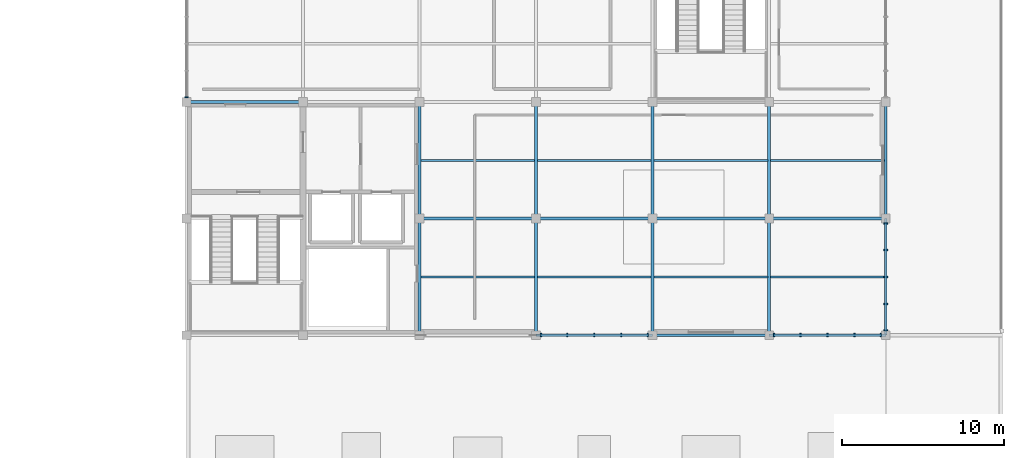
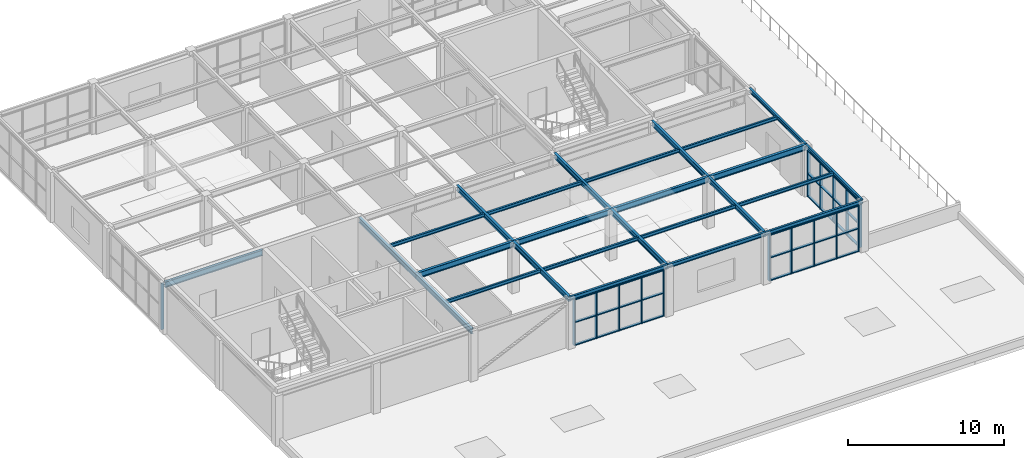
# One storey, part 35 of 64: 26 beams, 25 members, 4 elements without a shape of their own.
"""IFC4 building model written with IfcOpenShell, lengths in metres."""

import ifcopenshell
import ifcopenshell.guid

model = None  # the IFC model being written
_history = None  # IfcOwnerHistory: only IFC2X3 demands one
_inside = {}  # id of a spatial element -> (the spatial element, [elements in it])
_under = {}  # id of a project, library or spatial element -> (it, [spatial elements below it])
_declared = {}  # id of a project -> (the project, [libraries it declares])
_typed = {}  # id of a type object -> (the type object, [elements of that type])
_made_of = {}  # id of a material, layer set ... -> (it, [elements and type objects made of it])


def new_model(schema):
    """Start an empty IFC model of exactly this schema.

    Asked for "IFC4X3", IfcOpenShell would pick the latest addendum, in which some entities
    have other attributes; the version numbers below select the first issue.
    IFC2X3 requires an IfcOwnerHistory on every rooted entity: one is made here for all.
    """
    global model, _history
    if schema == "IFC4X3":
        model = ifcopenshell.file(schema_version=(4, 3, 0, 0))
    else:
        model = ifcopenshell.file(schema=schema)
    _inside.clear()
    _under.clear()
    _declared.clear()
    _typed.clear()
    _made_of.clear()
    _history = None
    if model.schema == "IFC2X3":
        org = make("IfcOrganization", Name="unknown")
        user = make(
            "IfcPersonAndOrganization",
            ThePerson=make("IfcPerson", FamilyName="unknown"),
            TheOrganization=org,
        )
        app = make(
            "IfcApplication",
            ApplicationDeveloper=org,
            Version="unknown",
            ApplicationFullName="unknown",
            ApplicationIdentifier="unknown",
        )
        _history = make(
            "IfcOwnerHistory",
            OwningUser=user,
            OwningApplication=app,
            ChangeAction="ADDED",
            CreationDate=0,
        )
    return model


def make(cls, **values):
    """One entity of the class cls with the attributes given. An attribute that is None is left unset."""
    return model.create_entity(
        cls, **{name: value for name, value in values.items() if value is not None}
    )


def rooted(cls, **values):
    """An entity with a GlobalId (a new one), such as an element, a storey or a relation."""
    return make(cls, GlobalId=ifcopenshell.guid.new(), OwnerHistory=_history, **values)


def si_unit(unit_type, name, prefix=None):
    """IfcSIUnit, for example si_unit("LENGTHUNIT", "METRE", prefix="MILLI")."""
    return make("IfcSIUnit", UnitType=unit_type, Prefix=prefix, Name=name)


def assignment(units):
    """IfcUnitAssignment: the units of a project."""
    return None if units is None else make("IfcUnitAssignment", Units=units)


def point(xyz):
    """IfcCartesianPoint."""
    return None if xyz is None else make("IfcCartesianPoint", Coordinates=xyz)


def direction(xyz):
    """IfcDirection."""
    return None if xyz is None else make("IfcDirection", DirectionRatios=xyz)


def frame(location, z_axis=None, x_axis=None):
    """IfcAxis2Placement3D, a coordinate frame: its origin and axes. An axis left out is left unset."""
    return make(
        "IfcAxis2Placement3D",
        Location=point(location),
        Axis=direction(z_axis),
        RefDirection=direction(x_axis),
    )


def frame_2d(location, x_axis=None):
    """IfcAxis2Placement2D, a coordinate frame in the plane: its origin and x axis."""
    return make(
        "IfcAxis2Placement2D", Location=point(location), RefDirection=direction(x_axis)
    )


def origin():
    """The frame at (0, 0, 0) with its axes left unset."""
    return frame((0.0, 0.0, 0.0))


def origin_2d():
    """The frame at (0, 0) in the plane with its x axis left unset."""
    return frame_2d((0.0, 0.0))


def place(relative_to, where):
    """IfcLocalPlacement: puts the frame where relative to a parent placement (None: the world)."""
    return make(
        "IfcLocalPlacement", PlacementRelTo=relative_to, RelativePlacement=where
    )


def context(
    kind, dimensions, precision=None, world=None, true_north=None, identifier=None
):
    """IfcGeometricRepresentationContext, for example the 3D "Model" context."""
    return make(
        "IfcGeometricRepresentationContext",
        ContextIdentifier=identifier,
        ContextType=kind,
        CoordinateSpaceDimension=dimensions,
        Precision=precision,
        WorldCoordinateSystem=world,
        TrueNorth=true_north,
    )


def subcontext(parent, identifier, kind, view, scale=None):
    """IfcGeometricRepresentationSubContext, for example "Body" below "Model"."""
    return make(
        "IfcGeometricRepresentationSubContext",
        ContextIdentifier=identifier,
        ContextType=kind,
        ParentContext=parent,
        TargetScale=scale,
        TargetView=view,
    )


def project(units=None, contexts=None):
    """IfcProject with its units and contexts."""
    return rooted(
        "IfcProject",
        Name="project",
        RepresentationContexts=contexts,
        UnitsInContext=assignment(units),
    )


def spatial(cls, under=None, at=None, **own):
    """A site, building, storey or space (cls), placed at a placement, below another one or the project."""
    s = rooted(cls, ObjectPlacement=at, **own)
    if under is not None:
        _under.setdefault(under.id(), (under, []))[1].append(s)
    return s


def profile(cls, at=None, kind="AREA", **sizes):
    """A parametric profile (cls). Its sizes go by their IFC names, for example OverallWidth=200.0."""
    return make(cls, ProfileType=kind, Position=at, **sizes)


def rectangle(**sizes):
    """IfcRectangleProfileDef."""
    return profile("IfcRectangleProfileDef", **sizes)


def i_section(**sizes):
    """IfcIShapeProfileDef."""
    return profile("IfcIShapeProfileDef", **sizes)


def extrude(swept, where, along, depth):
    """IfcExtrudedAreaSolid: the profile swept, set in the frame where, extruded along a direction by depth."""
    return make(
        "IfcExtrudedAreaSolid",
        SweptArea=swept,
        Position=where,
        ExtrudedDirection=direction(along),
        Depth=depth,
    )


def shape(context_of_items, identifier, shape_type, items):
    """IfcShapeRepresentation: the items that make up one representation, for example the "Body"."""
    return make(
        "IfcShapeRepresentation",
        ContextOfItems=context_of_items,
        RepresentationIdentifier=identifier,
        RepresentationType=shape_type,
        Items=items,
    )


def material(Name=None, Category=None):
    """IfcMaterial."""
    return make("IfcMaterial", Name=Name, Category=Category)


def material_profile(
    of_material, cross_section, Name=None, Category=None, Priority=None
):
    """IfcMaterialProfile: a cross section and its material."""
    return make(
        "IfcMaterialProfile",
        Name=Name,
        Material=of_material,
        Profile=cross_section,
        Priority=Priority,
        Category=Category,
    )


def profile_set(profiles, Name=None, composite=None):
    """IfcMaterialProfileSet."""
    return make(
        "IfcMaterialProfileSet",
        Name=Name,
        MaterialProfiles=profiles,
        CompositeProfile=composite,
    )


def made_of(thing, what):
    """Note that an element or type object is made of a material, layer set ...; save() writes the relation."""
    if what is not None:
        _made_of.setdefault(what.id(), (what, []))[1].append(thing)
    return thing


def type_object(cls, material=None, **own):
    """A type object (cls), such as IfcWallType, which elements share."""
    return made_of(rooted(cls, **own), material)


def element(
    cls,
    number,
    at=None,
    inside=None,
    cuts=None,
    type_object=None,
    material=None,
    context=None,
    identifier="Body",
    shape_type=None,
    held_by="IfcProductDefinitionShape",
    body=None,
    shapes=None,
    **own,
):
    """One element of the class cls, such as IfcWall. Its Tag is "e" and its number.

    at: its placement. inside: the storey or other place that contains it. cuts: it is an
    opening in that element (IfcRelVoidsElement). A single representation is given by context,
    identifier, shape_type and body (its items); several are given by shapes. held_by: the class
    of the entity that holds the representations. save() writes the other relations.
    """
    e = rooted(cls, Tag="e%d" % number, ObjectPlacement=at, **own)
    if body is not None:
        shapes = [shape(context, identifier, shape_type, body)]
    if shapes is not None:
        e.Representation = make(held_by, Representations=shapes)
    if inside is not None:
        _inside.setdefault(inside.id(), (inside, []))[1].append(e)
    if cuts is not None:
        rooted(
            "IfcRelVoidsElement", RelatingBuildingElement=cuts, RelatedOpeningElement=e
        )
    if type_object is not None:
        _typed.setdefault(type_object.id(), (type_object, []))[1].append(e)
    return made_of(e, material)


def aggregate(whole, parts):
    """IfcRelAggregates: a whole, such as a stair, and the parts it consists of."""
    return rooted("IfcRelAggregates", RelatingObject=whole, RelatedObjects=parts)


def save(model, path):
    """Write the relations noted so far, then the file.

    IfcRelAggregates (storeys below a building ...), IfcRelContainedInSpatialStructure (elements
    in a storey), IfcRelDefinesByType, IfcRelAssociatesMaterial and IfcRelDeclares: one each for
    every whole, place, type object, material and project.
    """
    for whole, parts in _under.values():
        aggregate(whole, parts)
    for where, things in _inside.values():
        rooted(
            "IfcRelContainedInSpatialStructure",
            RelatedElements=things,
            RelatingStructure=where,
        )
    for kind, things in _typed.values():
        rooted("IfcRelDefinesByType", RelatedObjects=things, RelatingType=kind)
    for what, things in _made_of.values():
        rooted("IfcRelAssociatesMaterial", RelatedObjects=things, RelatingMaterial=what)
    for by, libraries in _declared.values():
        rooted("IfcRelDeclares", RelatingContext=by, RelatedDefinitions=libraries)
    model.write(path)


model = new_model("IFC4")

# Units and contexts
model_context = context("Model", 3, precision=1e-05, world=origin(), true_north=direction((0.0, 1.0)))
body_context = subcontext(model_context, "Body", "Model", "MODEL_VIEW")
ifc_project = project(units=[si_unit("LENGTHUNIT", "METRE"), si_unit("AREAUNIT", "SQUARE_METRE"), si_unit("VOLUMEUNIT", "CUBIC_METRE"), si_unit("PLANEANGLEUNIT", "RADIAN"), si_unit("MASSUNIT", "GRAM", prefix="KILO")], contexts=[model_context])

# Site, building, storey
site_placement = place(None, origin())
site = spatial("IfcSite", under=ifc_project, at=site_placement, CompositionType="ELEMENT")
building_placement = place(site_placement, origin())
building = spatial("IfcBuilding", under=site, at=building_placement, Name="Leyfeld Transit Interchange", CompositionType="ELEMENT")
storey_placement = place(building_placement, frame((0.0, 0.0, 9.60009765625)))
storey = spatial("IfcBuildingStorey", under=building, at=storey_placement, Name="L02", CompositionType="ELEMENT", Elevation=9.60009765625)

# Beams
ifc_material_1 = material(Name="Steel S355J2", Category="steel")
ifc_material_profile_1 = material_profile(ifc_material_1, i_section(OverallWidth=0.135009765625, OverallDepth=0.27001953125, WebThickness=0.006591796875, FlangeThickness=0.01025390625, FilletRadius=0.014892578125, at=origin_2d()), Name="IPE 270")
ifc_profile_set_1 = profile_set([ifc_material_profile_1], Name="Steel S355J2")
beam_type_1 = type_object("IfcBeamType", Name="BM-STL-IPE270", PredefinedType="BEAM", material=ifc_profile_set_1)
for number, where, z_axis, x_axis, name in (
    (1, (151.287109375, 61.199951171875, 3.784912109375), (1.0, 0.0, 0.0), (0.0, 1.0, 0.0), "Beam BM-L02-1513_0612-1583_0612"),
    (2, (158.487060546875, 61.199951171875, 3.784912109375), (1.0, 0.0, 0.0), (0.0, 1.0, 0.0), "Beam BM-L02-1585_0612-1655_0612"),
    (3, (165.68701171875, 61.199951171875, 3.784912109375), (1.0, 0.0, 0.0), (0.0, 1.0, 0.0), "Beam BM-L02-1657_0612-1727_0612"),
):
    element("IfcBeam", number, at=place(storey_placement, frame(where, z_axis=z_axis, x_axis=x_axis)), inside=storey, type_object=beam_type_1, Name=name, PredefinedType="BEAM", context=body_context, shape_type="SweptSolid", body=[
        extrude(i_section(OverallWidth=0.135009765625, OverallDepth=0.27001953125, WebThickness=0.006591796875, FlangeThickness=0.01025390625, FilletRadius=0.014892578125, at=origin_2d()), origin(), (0.0, 0.0, 1.0), 7.02587890625),
    ])
beam_1_placement = place(storey_placement, frame((172.886962890625, 61.199951171875, 3.784912109375), z_axis=(1.0, 0.0, 0.0), x_axis=(0.0, 1.0, 0.0)))
element("IfcBeam", 4, at=beam_1_placement, inside=storey, type_object=beam_type_1, Name="Beam BM-L02-1729_0612-1799_0612", PredefinedType="BEAM", context=body_context, shape_type="SweptSolid", body=[
    extrude(i_section(OverallWidth=0.135009765625, OverallDepth=0.27001953125, WebThickness=0.006591796875, FlangeThickness=0.01025390625, FilletRadius=0.014892578125, at=origin_2d()), origin(), (0.0, 0.0, 1.0), 7.041015625),
])
for number, where, z_axis, x_axis, name in (
    (5, (151.287109375, 68.39990234375, 3.784912109375), (1.0, 0.0, 0.0), (0.0, 1.0, 0.0), "Beam BM-L02-1513_0684-1583_0684"),
    (6, (158.487060546875, 68.39990234375, 3.784912109375), (1.0, 0.0, 0.0), (0.0, 1.0, 0.0), "Beam BM-L02-1585_0684-1655_0684"),
    (7, (165.68701171875, 68.39990234375, 3.784912109375), (1.0, 0.0, 0.0), (0.0, 1.0, 0.0), "Beam BM-L02-1657_0684-1727_0684"),
):
    element("IfcBeam", number, at=place(storey_placement, frame(where, z_axis=z_axis, x_axis=x_axis)), inside=storey, type_object=beam_type_1, Name=name, PredefinedType="BEAM", context=body_context, shape_type="SweptSolid", body=[
        extrude(i_section(OverallWidth=0.135009765625, OverallDepth=0.27001953125, WebThickness=0.006591796875, FlangeThickness=0.01025390625, FilletRadius=0.014892578125, at=origin_2d()), origin(), (0.0, 0.0, 1.0), 7.02587890625),
    ])
beam_2_placement = place(storey_placement, frame((172.886962890625, 68.39990234375, 3.784912109375), z_axis=(1.0, 0.0, 0.0), x_axis=(0.0, 1.0, 0.0)))
element("IfcBeam", 8, at=beam_2_placement, inside=storey, type_object=beam_type_1, Name="Beam BM-L02-1729_0684-1799_0684", PredefinedType="BEAM", context=body_context, shape_type="SweptSolid", body=[
    extrude(i_section(OverallWidth=0.135009765625, OverallDepth=0.27001953125, WebThickness=0.006591796875, FlangeThickness=0.01025390625, FilletRadius=0.014892578125, at=origin_2d()), origin(), (0.0, 0.0, 1.0), 7.041015625),
])
ifc_material_profile_2 = material_profile(ifc_material_1, i_section(OverallWidth=0.14990234375, OverallDepth=0.300048828125, WebThickness=0.007080078125, FlangeThickness=0.0107421875, FilletRadius=0.014892578125, at=origin_2d()), Name="IPE 300")
ifc_profile_set_2 = profile_set([ifc_material_profile_2], Name="Steel S355J2")
beam_type_2 = type_object("IfcBeamType", Name="BM-STL-IPE300", PredefinedType="SPANDREL", material=ifc_profile_set_2)
for number, where, z_axis, x_axis, name in (
    (9, (180.0, 57.60009765625, 3.77001953125), (0.0, 1.0, 0.0), (-1.0, 0.0, 0.0), "Beam BM-L02-1800_0576-1800_0648"),
    (10, (180.0, 64.800048828125, 3.77001953125), (0.0, 1.0, 0.0), (-1.0, 0.0, 0.0), "Beam BM-L02-1800_0648-1800_0720"),
):
    element("IfcBeam", number, at=place(storey_placement, frame(where, z_axis=z_axis, x_axis=x_axis)), inside=storey, type_object=beam_type_2, Name=name, PredefinedType="SPANDREL", context=body_context, shape_type="SweptSolid", body=[
        extrude(i_section(OverallWidth=0.14990234375, OverallDepth=0.300048828125, WebThickness=0.007080078125, FlangeThickness=0.0107421875, FilletRadius=0.014892578125, at=origin_2d()), origin(), (0.0, 0.0, 1.0), 7.199951171875),
    ])
beam_3_placement = place(storey_placement, frame((158.39990234375, 57.60009765625, 3.77001953125), z_axis=(1.0, 0.0, 0.0), x_axis=(0.0, 1.0, 0.0)))
element("IfcBeam", 11, at=beam_3_placement, inside=storey, type_object=beam_type_2, Name="Beam BM-L02-1584_0576-1656_0576", PredefinedType="SPANDREL", context=body_context, shape_type="SweptSolid", body=[
    extrude(i_section(OverallWidth=0.14990234375, OverallDepth=0.300048828125, WebThickness=0.007080078125, FlangeThickness=0.0107421875, FilletRadius=0.014892578125, at=origin_2d()), origin(), (0.0, 0.0, 1.0), 7.2001953125),
])
for number, where, z_axis, x_axis, name in (
    (12, (165.60009765625, 57.60009765625, 3.77001953125), (1.0, 0.0, 0.0), (0.0, 1.0, 0.0), "Beam BM-L02-1656_0576-1728_0576"),
    (13, (172.800048828125, 57.60009765625, 3.77001953125), (1.0, 0.0, 0.0), (0.0, 1.0, 0.0), "Beam BM-L02-1728_0576-1800_0576"),
):
    element("IfcBeam", number, at=place(storey_placement, frame(where, z_axis=z_axis, x_axis=x_axis)), inside=storey, type_object=beam_type_2, Name=name, PredefinedType="SPANDREL", context=body_context, shape_type="SweptSolid", body=[
        extrude(i_section(OverallWidth=0.14990234375, OverallDepth=0.300048828125, WebThickness=0.007080078125, FlangeThickness=0.0107421875, FilletRadius=0.014892578125, at=origin_2d()), origin(), (0.0, 0.0, 1.0), 7.199951171875),
    ])
ifc_material_profile_3 = material_profile(ifc_material_1, i_section(OverallWidth=0.179931640625, OverallDepth=0.39990234375, WebThickness=0.008544921875, FlangeThickness=0.013427734375, FilletRadius=0.02099609375, at=origin_2d()), Name="IPE 400")
ifc_profile_set_3 = profile_set([ifc_material_profile_3], Name="Steel S355J2")
beam_type_3 = type_object("IfcBeamType", Name="BM-STL-IPE400", PredefinedType="BEAM", material=ifc_profile_set_3)
for number, where, z_axis, x_axis, name in (
    (14, (151.199951171875, 57.60009765625, 3.719970703125), (0.0, 1.0, 0.0), (-1.0, 0.0, 0.0), "Beam BM-L02-1512_0576-1512_0648"),
    (15, (151.199951171875, 64.800048828125, 3.719970703125), (0.0, 1.0, 0.0), (-1.0, 0.0, 0.0), "Beam BM-L02-1512_0648-1512_0720"),
    (16, (158.39990234375, 57.60009765625, 3.719970703125), (0.0, 1.0, 0.0), (-1.0, 0.0, 0.0), "Beam BM-L02-1584_0576-1584_0648"),
    (17, (158.39990234375, 64.800048828125, 3.719970703125), (0.0, 1.0, 0.0), (-1.0, 0.0, 0.0), "Beam BM-L02-1584_0648-1584_0720"),
    (18, (165.60009765625, 57.60009765625, 3.719970703125), (0.0, 1.0, 0.0), (-1.0, 0.0, 0.0), "Beam BM-L02-1656_0576-1656_0648"),
    (19, (165.60009765625, 64.800048828125, 3.719970703125), (0.0, 1.0, 0.0), (-1.0, 0.0, 0.0), "Beam BM-L02-1656_0648-1656_0720"),
    (20, (172.800048828125, 57.60009765625, 3.719970703125), (0.0, 1.0, 0.0), (-1.0, 0.0, 0.0), "Beam BM-L02-1728_0576-1728_0648"),
    (21, (172.800048828125, 64.800048828125, 3.719970703125), (0.0, 1.0, 0.0), (-1.0, 0.0, 0.0), "Beam BM-L02-1728_0648-1728_0720"),
):
    element("IfcBeam", number, at=place(storey_placement, frame(where, z_axis=z_axis, x_axis=x_axis)), inside=storey, type_object=beam_type_3, Name=name, PredefinedType="BEAM", context=body_context, shape_type="SweptSolid", body=[
        extrude(i_section(OverallWidth=0.179931640625, OverallDepth=0.39990234375, WebThickness=0.008544921875, FlangeThickness=0.013427734375, FilletRadius=0.02099609375, at=origin_2d()), origin(), (0.0, 0.0, 1.0), 7.199951171875),
    ])
ifc_material_profile_4 = material_profile(ifc_material_1, i_section(OverallWidth=0.18994140625, OverallDepth=0.449951171875, WebThickness=0.009521484375, FlangeThickness=0.0146484375, FilletRadius=0.02099609375, at=origin_2d()), Name="IPE 450")
ifc_profile_set_4 = profile_set([ifc_material_profile_4], Name="Steel S355J2")
beam_type_4 = type_object("IfcBeamType", Name="BM-STL-IPE450", PredefinedType="BEAM", material=ifc_profile_set_4)
beam_4_placement = place(storey_placement, frame((151.199951171875, 64.800048828125, 3.69482421875), z_axis=(1.0, 0.0, 0.0), x_axis=(0.0, 1.0, 0.0)))
element("IfcBeam", 22, at=beam_4_placement, inside=storey, type_object=beam_type_4, Name="Beam BM-L02-1512_0648-1584_0648", PredefinedType="BEAM", context=body_context, shape_type="SweptSolid", body=[
    extrude(i_section(OverallWidth=0.18994140625, OverallDepth=0.449951171875, WebThickness=0.009521484375, FlangeThickness=0.0146484375, FilletRadius=0.02099609375, at=origin_2d()), origin(), (0.0, 0.0, 1.0), 7.199951171875),
])
beam_5_placement = place(storey_placement, frame((158.39990234375, 64.800048828125, 3.69482421875), z_axis=(1.0, 0.0, 0.0), x_axis=(0.0, 1.0, 0.0)))
element("IfcBeam", 23, at=beam_5_placement, inside=storey, type_object=beam_type_4, Name="Beam BM-L02-1584_0648-1656_0648", PredefinedType="BEAM", context=body_context, shape_type="SweptSolid", body=[
    extrude(i_section(OverallWidth=0.18994140625, OverallDepth=0.449951171875, WebThickness=0.009521484375, FlangeThickness=0.0146484375, FilletRadius=0.02099609375, at=origin_2d()), origin(), (0.0, 0.0, 1.0), 7.2001953125),
])
for number, where, z_axis, x_axis, name in (
    (24, (165.60009765625, 64.800048828125, 3.69482421875), (1.0, 0.0, 0.0), (0.0, 1.0, 0.0), "Beam BM-L02-1656_0648-1728_0648"),
    (25, (172.800048828125, 64.800048828125, 3.69482421875), (1.0, 0.0, 0.0), (0.0, 1.0, 0.0), "Beam BM-L02-1728_0648-1800_0648"),
    (26, (136.800048828125, 72.0, 3.69482421875), (1.0, 0.0, 0.0), (0.0, 1.0, 0.0), "Beam BM-L02-1368_0720-1440_0720"),
):
    element("IfcBeam", number, at=place(storey_placement, frame(where, z_axis=z_axis, x_axis=x_axis)), inside=storey, type_object=beam_type_4, Name=name, PredefinedType="BEAM", context=body_context, shape_type="SweptSolid", body=[
        extrude(i_section(OverallWidth=0.18994140625, OverallDepth=0.449951171875, WebThickness=0.009521484375, FlangeThickness=0.0146484375, FilletRadius=0.02099609375, at=origin_2d()), origin(), (0.0, 0.0, 1.0), 7.199951171875),
    ])

# Curtain wall, member
ifc_material_2 = material(Name="Anodised aluminium EN AW-6060 T66", Category="aluminium")
curtain_wall_type = type_object("IfcCurtainWallType", Name="CW-SYS-BUS-7200", PredefinedType="NOTDEFINED", material=ifc_material_2)
curtain_wall_1_placement = place(storey_placement, origin())
curtain_wall_1 = element("IfcCurtainWall", 27, at=curtain_wall_1_placement, inside=storey, type_object=curtain_wall_type, Name="Curtain Wall CW-L02-110", PredefinedType="NOTDEFINED")
ifc_material_profile_5 = material_profile(ifc_material_2, rectangle(XDim=0.074951171875, YDim=0.219970703125, at=origin_2d()), Name="CW-M 75x220")
ifc_profile_set_5 = profile_set([ifc_material_profile_5], Name="Anodised aluminium EN AW-6060 T66")
member_type_1 = type_object("IfcMemberType", Name="CW-MUL-180x70", PredefinedType="MULLION", material=ifc_profile_set_5)
member_1_placement = place(storey_placement, frame((136.800048828125, 72.302490234375, 0.0), z_axis=(0.0, 0.0, 1.0), x_axis=(0.0, 1.0, 0.0)))
member_1 = element("IfcMember", 28, at=member_1_placement, type_object=member_type_1, Name="Curtain Mullion CW-L02-110-M01", PredefinedType="MULLION", context=body_context, shape_type="SweptSolid", body=[
    extrude(rectangle(XDim=0.074951171875, YDim=0.219970703125, at=origin_2d()), origin(), (0.0, 0.0, 1.0), 3.619873046875),
])
aggregate(curtain_wall_1, [member_1])

# Curtain wall, members
curtain_wall_2_placement = place(storey_placement, origin())
curtain_wall_2 = element("IfcCurtainWall", 29, at=curtain_wall_2_placement, inside=storey, type_object=curtain_wall_type, Name="Curtain Wall CW-L02-117", PredefinedType="NOTDEFINED")
member_2_placement = place(storey_placement, frame((180.0, 64.49755859375, 0.0), z_axis=(0.0, 0.0, 1.0), x_axis=(0.0, -1.0, 0.0)))
member_2 = element("IfcMember", 30, at=member_2_placement, type_object=member_type_1, Name="Curtain Mullion CW-L02-117-M01", PredefinedType="MULLION", context=body_context, shape_type="SweptSolid", body=[
    extrude(rectangle(XDim=0.074951171875, YDim=0.219970703125, at=origin_2d()), origin(), (0.0, 0.0, 1.0), 3.619873046875),
])
member_3_placement = place(storey_placement, frame((180.0, 62.867431640625, 0.0), z_axis=(0.0, 0.0, 1.0), x_axis=(0.0, -1.0, 0.0)))
member_3 = element("IfcMember", 31, at=member_3_placement, type_object=member_type_1, Name="Curtain Mullion CW-L02-117-M02", PredefinedType="MULLION", context=body_context, shape_type="SweptSolid", body=[
    extrude(rectangle(XDim=0.074951171875, YDim=0.219970703125, at=origin_2d()), origin(), (0.0, 0.0, 1.0), 3.619873046875),
])
member_4_placement = place(storey_placement, frame((180.0, 61.199951171875, 0.0), z_axis=(0.0, 0.0, 1.0), x_axis=(0.0, -1.0, 0.0)))
member_4 = element("IfcMember", 32, at=member_4_placement, type_object=member_type_1, Name="Curtain Mullion CW-L02-117-M03", PredefinedType="MULLION", context=body_context, shape_type="SweptSolid", body=[
    extrude(rectangle(XDim=0.074951171875, YDim=0.219970703125, at=origin_2d()), origin(), (0.0, 0.0, 1.0), 3.619873046875),
])
member_5_placement = place(storey_placement, frame((180.0, 59.532470703125, 0.0), z_axis=(0.0, 0.0, 1.0), x_axis=(0.0, -1.0, 0.0)))
member_5 = element("IfcMember", 33, at=member_5_placement, type_object=member_type_1, Name="Curtain Mullion CW-L02-117-M04", PredefinedType="MULLION", context=body_context, shape_type="SweptSolid", body=[
    extrude(rectangle(XDim=0.074951171875, YDim=0.219970703125, at=origin_2d()), origin(), (0.0, 0.0, 1.0), 3.619873046875),
])
member_6_placement = place(storey_placement, frame((180.0, 57.902587890625, 0.0), z_axis=(0.0, 0.0, 1.0), x_axis=(0.0, -1.0, 0.0)))
member_6 = element("IfcMember", 34, at=member_6_placement, type_object=member_type_1, Name="Curtain Mullion CW-L02-117-M05", PredefinedType="MULLION", context=body_context, shape_type="SweptSolid", body=[
    extrude(rectangle(XDim=0.074951171875, YDim=0.219970703125, at=origin_2d()), origin(), (0.0, 0.0, 1.0), 3.619873046875),
])

curtain_wall_3_placement = place(storey_placement, origin())
curtain_wall_3 = element("IfcCurtainWall", 35, at=curtain_wall_3_placement, inside=storey, type_object=curtain_wall_type, Name="Curtain Wall CW-L02-118", PredefinedType="NOTDEFINED")
member_7_placement = place(storey_placement, frame((179.697509765625, 57.60009765625, 0.0), z_axis=(0.0, 0.0, 1.0), x_axis=(-1.0, 0.0, 0.0)))
member_7 = element("IfcMember", 36, at=member_7_placement, type_object=member_type_1, Name="Curtain Mullion CW-L02-118-M01", PredefinedType="MULLION", context=body_context, shape_type="SweptSolid", body=[
    extrude(rectangle(XDim=0.074951171875, YDim=0.219970703125, at=origin_2d()), origin(), (0.0, 0.0, 1.0), 3.619873046875),
])
member_8_placement = place(storey_placement, frame((178.0673828125, 57.60009765625, 0.0), z_axis=(0.0, 0.0, 1.0), x_axis=(-1.0, 0.0, 0.0)))
member_8 = element("IfcMember", 37, at=member_8_placement, type_object=member_type_1, Name="Curtain Mullion CW-L02-118-M02", PredefinedType="MULLION", context=body_context, shape_type="SweptSolid", body=[
    extrude(rectangle(XDim=0.074951171875, YDim=0.219970703125, at=origin_2d()), origin(), (0.0, 0.0, 1.0), 3.619873046875),
])
member_9_placement = place(storey_placement, frame((176.39990234375, 57.60009765625, 0.0), z_axis=(0.0, 0.0, 1.0), x_axis=(-1.0, 0.0, 0.0)))
member_9 = element("IfcMember", 38, at=member_9_placement, type_object=member_type_1, Name="Curtain Mullion CW-L02-118-M03", PredefinedType="MULLION", context=body_context, shape_type="SweptSolid", body=[
    extrude(rectangle(XDim=0.074951171875, YDim=0.219970703125, at=origin_2d()), origin(), (0.0, 0.0, 1.0), 3.619873046875),
])
member_10_placement = place(storey_placement, frame((174.732421875, 57.60009765625, 0.0), z_axis=(0.0, 0.0, 1.0), x_axis=(-1.0, 0.0, 0.0)))
member_10 = element("IfcMember", 39, at=member_10_placement, type_object=member_type_1, Name="Curtain Mullion CW-L02-118-M04", PredefinedType="MULLION", context=body_context, shape_type="SweptSolid", body=[
    extrude(rectangle(XDim=0.074951171875, YDim=0.219970703125, at=origin_2d()), origin(), (0.0, 0.0, 1.0), 3.619873046875),
])
member_11_placement = place(storey_placement, frame((173.1025390625, 57.60009765625, 0.0), z_axis=(0.0, 0.0, 1.0), x_axis=(-1.0, 0.0, 0.0)))
member_11 = element("IfcMember", 40, at=member_11_placement, type_object=member_type_1, Name="Curtain Mullion CW-L02-118-M05", PredefinedType="MULLION", context=body_context, shape_type="SweptSolid", body=[
    extrude(rectangle(XDim=0.074951171875, YDim=0.219970703125, at=origin_2d()), origin(), (0.0, 0.0, 1.0), 3.619873046875),
])

curtain_wall_4_placement = place(storey_placement, origin())
curtain_wall_4 = element("IfcCurtainWall", 41, at=curtain_wall_4_placement, inside=storey, type_object=curtain_wall_type, Name="Curtain Wall CW-L02-119", PredefinedType="NOTDEFINED")
member_12_placement = place(storey_placement, frame((165.297607421875, 57.60009765625, 0.0), z_axis=(0.0, 0.0, 1.0), x_axis=(-1.0, 0.0, 0.0)))
member_12 = element("IfcMember", 42, at=member_12_placement, type_object=member_type_1, Name="Curtain Mullion CW-L02-119-M01", PredefinedType="MULLION", context=body_context, shape_type="SweptSolid", body=[
    extrude(rectangle(XDim=0.074951171875, YDim=0.219970703125, at=origin_2d()), origin(), (0.0, 0.0, 1.0), 3.619873046875),
])
member_13_placement = place(storey_placement, frame((163.66748046875, 57.60009765625, 0.0), z_axis=(0.0, 0.0, 1.0), x_axis=(-1.0, 0.0, 0.0)))
member_13 = element("IfcMember", 43, at=member_13_placement, type_object=member_type_1, Name="Curtain Mullion CW-L02-119-M02", PredefinedType="MULLION", context=body_context, shape_type="SweptSolid", body=[
    extrude(rectangle(XDim=0.074951171875, YDim=0.219970703125, at=origin_2d()), origin(), (0.0, 0.0, 1.0), 3.619873046875),
])
member_14_placement = place(storey_placement, frame((162.0, 57.60009765625, 0.0), z_axis=(0.0, 0.0, 1.0), x_axis=(-1.0, 0.0, 0.0)))
member_14 = element("IfcMember", 44, at=member_14_placement, type_object=member_type_1, Name="Curtain Mullion CW-L02-119-M03", PredefinedType="MULLION", context=body_context, shape_type="SweptSolid", body=[
    extrude(rectangle(XDim=0.074951171875, YDim=0.219970703125, at=origin_2d()), origin(), (0.0, 0.0, 1.0), 3.619873046875),
])
member_15_placement = place(storey_placement, frame((160.33251953125, 57.60009765625, 0.0), z_axis=(0.0, 0.0, 1.0), x_axis=(-1.0, 0.0, 0.0)))
member_15 = element("IfcMember", 45, at=member_15_placement, type_object=member_type_1, Name="Curtain Mullion CW-L02-119-M04", PredefinedType="MULLION", context=body_context, shape_type="SweptSolid", body=[
    extrude(rectangle(XDim=0.074951171875, YDim=0.219970703125, at=origin_2d()), origin(), (0.0, 0.0, 1.0), 3.619873046875),
])
member_16_placement = place(storey_placement, frame((158.702392578125, 57.60009765625, 0.0), z_axis=(0.0, 0.0, 1.0), x_axis=(-1.0, 0.0, 0.0)))
member_16 = element("IfcMember", 46, at=member_16_placement, type_object=member_type_1, Name="Curtain Mullion CW-L02-119-M05", PredefinedType="MULLION", context=body_context, shape_type="SweptSolid", body=[
    extrude(rectangle(XDim=0.074951171875, YDim=0.219970703125, at=origin_2d()), origin(), (0.0, 0.0, 1.0), 3.619873046875),
])

# Member
ifc_material_profile_6 = material_profile(ifc_material_2, rectangle(XDim=0.179931640625, YDim=0.074951171875, at=origin_2d()), Name="CW-TRN-160x70")
ifc_profile_set_6 = profile_set([ifc_material_profile_6], Name="Anodised aluminium EN AW-6060 T66")
member_type_2 = type_object("IfcMemberType", Name="CW-TRN-160x70", PredefinedType="USERDEFINED", material=ifc_profile_set_6)
member_17_placement = place(storey_placement, frame((180.0, 64.534912109375, 0.037353515625), z_axis=(0.0, -1.0, 0.0), x_axis=(1.0, 0.0, 0.0)))
member_17 = element("IfcMember", 47, at=member_17_placement, type_object=member_type_2, Name="Curtain Transom CW-L02-117-T01", ObjectType="TRANSOM", PredefinedType="USERDEFINED", context=body_context, shape_type="SweptSolid", body=[
    extrude(rectangle(XDim=0.179931640625, YDim=0.074951171875, at=origin_2d()), origin(), (0.0, 0.0, 1.0), 6.669921875),
])

member_18_placement = place(storey_placement, frame((180.0, 64.534912109375, 1.809814453125), z_axis=(0.0, -1.0, 0.0), x_axis=(1.0, 0.0, 0.0)))
member_18 = element("IfcMember", 48, at=member_18_placement, type_object=member_type_2, Name="Curtain Transom CW-L02-117-T02", ObjectType="TRANSOM", PredefinedType="USERDEFINED", context=body_context, shape_type="SweptSolid", body=[
    extrude(rectangle(XDim=0.179931640625, YDim=0.074951171875, at=origin_2d()), origin(), (0.0, 0.0, 1.0), 6.669921875),
])

member_19_placement = place(storey_placement, frame((180.0, 64.534912109375, 3.58251953125), z_axis=(0.0, -1.0, 0.0), x_axis=(1.0, 0.0, 0.0)))
member_19 = element("IfcMember", 49, at=member_19_placement, type_object=member_type_2, Name="Curtain Transom CW-L02-117-T03", ObjectType="TRANSOM", PredefinedType="USERDEFINED", context=body_context, shape_type="SweptSolid", body=[
    extrude(rectangle(XDim=0.179931640625, YDim=0.074951171875, at=origin_2d()), origin(), (0.0, 0.0, 1.0), 6.669921875),
])

aggregate(curtain_wall_2, [member_2, member_3, member_4, member_5, member_6, member_17, member_18, member_19])

member_20_placement = place(storey_placement, frame((179.735107421875, 57.60009765625, 0.037353515625), z_axis=(-1.0, 0.0, 0.0), x_axis=(0.0, -1.0, 0.0)))
member_20 = element("IfcMember", 50, at=member_20_placement, type_object=member_type_2, Name="Curtain Transom CW-L02-118-T01", ObjectType="TRANSOM", PredefinedType="USERDEFINED", context=body_context, shape_type="SweptSolid", body=[
    extrude(rectangle(XDim=0.179931640625, YDim=0.074951171875, at=origin_2d()), origin(), (0.0, 0.0, 1.0), 6.670166015625),
])

member_21_placement = place(storey_placement, frame((179.735107421875, 57.60009765625, 1.809814453125), z_axis=(-1.0, 0.0, 0.0), x_axis=(0.0, -1.0, 0.0)))
member_21 = element("IfcMember", 51, at=member_21_placement, type_object=member_type_2, Name="Curtain Transom CW-L02-118-T02", ObjectType="TRANSOM", PredefinedType="USERDEFINED", context=body_context, shape_type="SweptSolid", body=[
    extrude(rectangle(XDim=0.179931640625, YDim=0.074951171875, at=origin_2d()), origin(), (0.0, 0.0, 1.0), 6.670166015625),
])

member_22_placement = place(storey_placement, frame((179.735107421875, 57.60009765625, 3.58251953125), z_axis=(-1.0, 0.0, 0.0), x_axis=(0.0, -1.0, 0.0)))
member_22 = element("IfcMember", 52, at=member_22_placement, type_object=member_type_2, Name="Curtain Transom CW-L02-118-T03", ObjectType="TRANSOM", PredefinedType="USERDEFINED", context=body_context, shape_type="SweptSolid", body=[
    extrude(rectangle(XDim=0.179931640625, YDim=0.074951171875, at=origin_2d()), origin(), (0.0, 0.0, 1.0), 6.670166015625),
])

aggregate(curtain_wall_3, [member_7, member_8, member_9, member_10, member_11, member_20, member_21, member_22])

member_23_placement = place(storey_placement, frame((165.3349609375, 57.60009765625, 0.037353515625), z_axis=(-1.0, 0.0, 0.0), x_axis=(0.0, -1.0, 0.0)))
member_23 = element("IfcMember", 53, at=member_23_placement, type_object=member_type_2, Name="Curtain Transom CW-L02-119-T01", ObjectType="TRANSOM", PredefinedType="USERDEFINED", context=body_context, shape_type="SweptSolid", body=[
    extrude(rectangle(XDim=0.179931640625, YDim=0.074951171875, at=origin_2d()), origin(), (0.0, 0.0, 1.0), 6.669921875),
])

member_24_placement = place(storey_placement, frame((165.3349609375, 57.60009765625, 1.809814453125), z_axis=(-1.0, 0.0, 0.0), x_axis=(0.0, -1.0, 0.0)))
member_24 = element("IfcMember", 54, at=member_24_placement, type_object=member_type_2, Name="Curtain Transom CW-L02-119-T02", ObjectType="TRANSOM", PredefinedType="USERDEFINED", context=body_context, shape_type="SweptSolid", body=[
    extrude(rectangle(XDim=0.179931640625, YDim=0.074951171875, at=origin_2d()), origin(), (0.0, 0.0, 1.0), 6.669921875),
])

member_25_placement = place(storey_placement, frame((165.3349609375, 57.60009765625, 3.58251953125), z_axis=(-1.0, 0.0, 0.0), x_axis=(0.0, -1.0, 0.0)))
member_25 = element("IfcMember", 55, at=member_25_placement, type_object=member_type_2, Name="Curtain Transom CW-L02-119-T03", ObjectType="TRANSOM", PredefinedType="USERDEFINED", context=body_context, shape_type="SweptSolid", body=[
    extrude(rectangle(XDim=0.179931640625, YDim=0.074951171875, at=origin_2d()), origin(), (0.0, 0.0, 1.0), 6.669921875),
])

aggregate(curtain_wall_4, [member_12, member_13, member_14, member_15, member_16, member_23, member_24, member_25])

save(model, "model.ifc")
